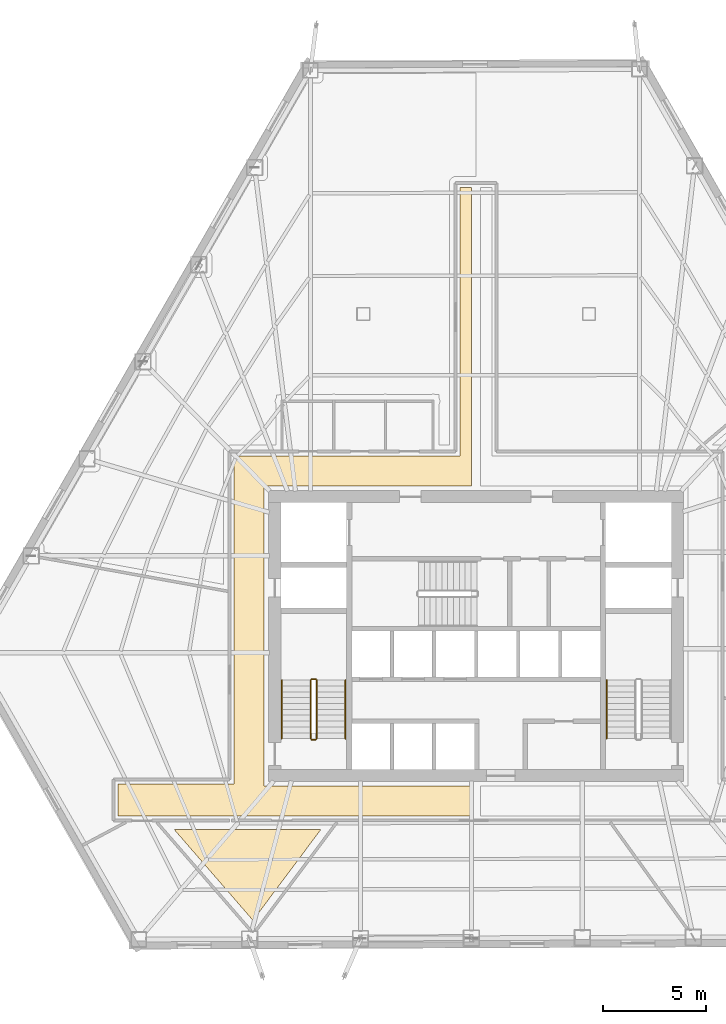
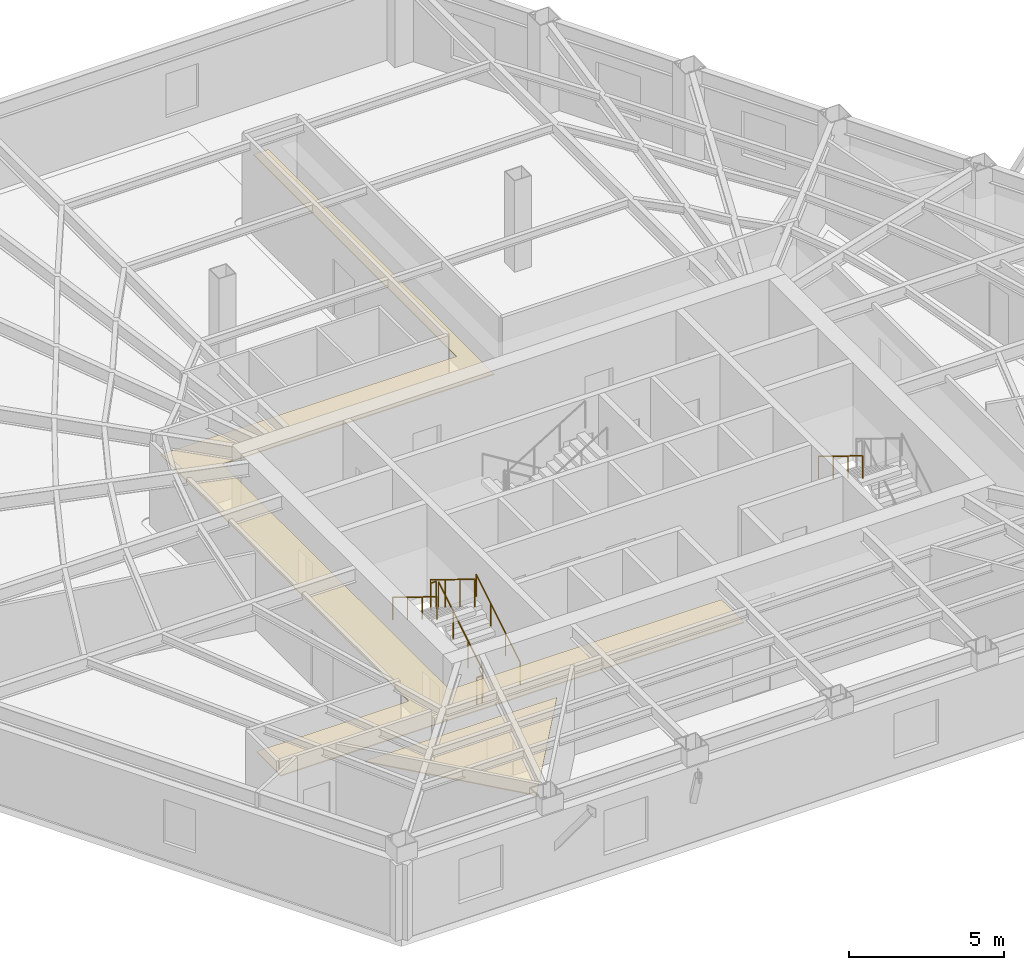
# One storey, part 10 of 12: 7 railings, 2 coverings.
"""IFC4 building model written with IfcOpenShell, lengths in metres."""

from ifc_helpers import new_model, si_unit, direction, frame, origin, origin_2d, place, context, subcontext, project, spatial, polyline, circle, outline, extrude, material, layer, layer_set, type_object, element, save


model = new_model("IFC4")

# Units and contexts
model_context = context("Model", 3, precision=1e-05, world=origin(), true_north=direction((0.0, 1.0)))
body_context = subcontext(model_context, "Body", "Model", "MODEL_VIEW")
ifc_project = project(units=[si_unit("LENGTHUNIT", "METRE"), si_unit("AREAUNIT", "SQUARE_METRE"), si_unit("VOLUMEUNIT", "CUBIC_METRE"), si_unit("PLANEANGLEUNIT", "RADIAN"), si_unit("MASSUNIT", "GRAM", prefix="KILO")], contexts=[model_context])

# Site, building, storey
site_placement = place(None, origin())
site = spatial("IfcSite", under=ifc_project, at=site_placement, CompositionType="ELEMENT")
building_placement = place(site_placement, origin())
building = spatial("IfcBuilding", under=site, at=building_placement, Name="Kavelnor Concourse Tower", CompositionType="ELEMENT")
storey_placement = place(building_placement, frame((0.0, 0.0, 13.699951171875)))
storey = spatial("IfcBuildingStorey", under=building, at=storey_placement, Name="L03", CompositionType="ELEMENT", Elevation=13.699951171875)

# Coverings
ifc_material_1 = material(Name="Mineral fibre acoustic ceiling tile")
ifc_layer = layer(ifc_material_1, 0.0400390625, Name="Mineral fibre acoustic ceiling tile")
ifc_layer_set = layer_set([ifc_layer], Name="Mineral fibre acoustic ceiling tile")
covering_type = type_object("IfcCoveringType", Name="COV-CEILING-ACOUSTIC", PredefinedType="CEILING", material=ifc_layer_set)
covering_1_placement = place(storey_placement, frame((0.0, 0.0, 2.75)))
element("IfcCovering", 1, at=covering_1_placement, inside=storey, type_object=covering_type, Name="L03 Suspended Acoustic Ceiling", PredefinedType="CEILING", context=body_context, shape_type="SweptSolid", body=[
    extrude(outline(polyline([(37.219970703125, 37.97998046875), (37.77490234375, 37.97998046875), (37.77490234375, 23.419921875), (27.659912109375, 23.419921875), (27.659912109375, 8.780029296875), (37.77490234375, 8.780029296875), (37.77490234375, 7.320068359375), (20.53369140625, 7.320068359375), (20.53369140625, 8.8798828125), (26.199951171875, 8.8798828125), (26.199951171875, 24.8798828125), (37.219970703125, 24.8798828125), (37.219970703125, 37.97998046875)])), origin(), (0.0, 0.0, 1.0), 0.0400390625),
])
covering_2_placement = place(storey_placement, frame((0.0, 0.0, 2.75)))
element("IfcCovering", 2, at=covering_2_placement, inside=storey, type_object=covering_type, Name="L03 Suspended Acoustic Ceiling", PredefinedType="CEILING", context=body_context, shape_type="SweptSolid", body=[
    extrude(outline(polyline([(26.030029296875, 6.680419921875), (26.03857421875, 6.67919921875), (26.07177734375, 6.677490234375), (30.43896484375, 6.677490234375), (27.12060546875, 2.238037109375), (23.2705078125, 6.677490234375), (25.98828125, 6.677490234375), (26.021484375, 6.67919921875), (26.030029296875, 6.680419921875)])), origin(), (0.0, 0.0, 1.0), 0.0400390625),
])

# Railings
ifc_material_2 = material(Name="Steel Grade 350", Category="steel")
railing_type_1 = type_object("IfcRailingType", Name="RLG-GUARD-1100", PredefinedType="GUARDRAIL", material=ifc_material_2)
railing_1_placement = place(storey_placement, frame((30.22998046875, 11.10009765625, 0.175048828125)))
element("IfcRailing", 3, at=railing_1_placement, inside=storey, type_object=railing_type_1, Name="L03 ST1 stair guard 1", PredefinedType="GUARDRAIL", context=body_context, shape_type="SweptSolid", body=[
    extrude(circle(Radius=0.02392578125, at=origin_2d()), frame((0.0, 0.0, 1.076171875), z_axis=(0.0, 0.852159232446, 0.523282564737), x_axis=(-1.0, 0.0, 0.0)), (0.0, 0.0, 1.0), 3.34423828125),
    extrude(circle(Radius=0.02099609375, at=origin_2d()), origin(), (0.0, 0.0, 1.0), 1.052001953125),
    extrude(circle(Radius=0.02099609375, at=origin_2d()), frame((0.0, 0.949951171875, 0.583251953125)), (0.0, 0.0, 1.0), 1.052001953125),
    extrude(circle(Radius=0.02099609375, at=origin_2d()), frame((0.0, 1.89990234375, 1.166748046875)), (0.0, 0.0, 1.0), 1.052001953125),
    extrude(circle(Radius=0.02099609375, at=origin_2d()), frame((0.0, 2.849853515625, 1.75)), (0.0, 0.0, 1.0), 1.052001953125),
])
railing_2_placement = place(storey_placement, frame((30.179931640625, 14.0, 1.925048828125)))
element("IfcRailing", 4, at=railing_2_placement, inside=storey, type_object=railing_type_1, Name="L03 ST1 stair guard 2", PredefinedType="GUARDRAIL", context=body_context, shape_type="SweptSolid", body=[
    extrude(circle(Radius=0.02392578125, at=origin_2d()), frame((0.0, 0.0, 1.076171875), z_axis=(-1.0, 0.0, 0.0), x_axis=(0.0, -1.0, 0.0)), (0.0, 0.0, 1.0), 0.199951171875),
    extrude(circle(Radius=0.02099609375, at=origin_2d()), origin(), (0.0, 0.0, 1.0), 1.052001953125),
    extrude(circle(Radius=0.02099609375, at=origin_2d()), frame((-0.199951171875, 0.0, 0.0)), (0.0, 0.0, 1.0), 1.052001953125),
])
railing_3_placement = place(storey_placement, frame((29.929931640625, 13.949951171875, 2.10009765625)))
element("IfcRailing", 5, at=railing_3_placement, inside=storey, type_object=railing_type_1, Name="L03 ST1 stair guard 3", PredefinedType="GUARDRAIL", context=body_context, shape_type="SweptSolid", body=[
    extrude(circle(Radius=0.02392578125, at=origin_2d()), frame((0.0, 0.0, 1.076171875), z_axis=(0.0, -0.852159232446, 0.523282564737), x_axis=(1.0, 0.0, 0.0)), (0.0, 0.0, 1.0), 3.34423828125),
    extrude(circle(Radius=0.02099609375, at=origin_2d()), origin(), (0.0, 0.0, 1.0), 1.052001953125),
    extrude(circle(Radius=0.02099609375, at=origin_2d()), frame((0.0, -0.949951171875, 0.583251953125)), (0.0, 0.0, 1.0), 1.052001953125),
    extrude(circle(Radius=0.02099609375, at=origin_2d()), frame((0.0, -1.89990234375, 1.166748046875)), (0.0, 0.0, 1.0), 1.052001953125),
    extrude(circle(Radius=0.02099609375, at=origin_2d()), frame((0.0, -2.849853515625, 1.75)), (0.0, 0.0, 1.0), 1.052001953125),
])
railing_4_placement = place(storey_placement, frame((30.179931640625, 11.050048828125, 0.0)))
element("IfcRailing", 6, at=railing_4_placement, inside=storey, type_object=railing_type_1, Name="L03 ST1 stair guard 4", PredefinedType="GUARDRAIL", context=body_context, shape_type="SweptSolid", body=[
    extrude(circle(Radius=0.02392578125, at=origin_2d()), frame((0.0, 0.0, 1.076171875), z_axis=(-1.0, 0.0, 0.0), x_axis=(0.0, -1.0, 0.0)), (0.0, 0.0, 1.0), 0.199951171875),
    extrude(circle(Radius=0.02099609375, at=origin_2d()), origin(), (0.0, 0.0, 1.0), 1.052001953125),
    extrude(circle(Radius=0.02099609375, at=origin_2d()), frame((-0.199951171875, 0.0, 0.0)), (0.0, 0.0, 1.0), 1.052001953125),
])
railing_type_2 = type_object("IfcRailingType", Name="RLG-HANDRAIL-900", PredefinedType="HANDRAIL", material=ifc_material_2)
railing_5_placement = place(storey_placement, frame((31.6298828125, 11.10009765625, 0.175048828125)))
element("IfcRailing", 7, at=railing_5_placement, inside=storey, type_object=railing_type_2, Name="L03 ST1 stair handrail 1", PredefinedType="HANDRAIL", context=body_context, shape_type="SweptSolid", body=[
    extrude(circle(Radius=0.02392578125, at=origin_2d()), frame((0.0, 0.0, 0.8759765625), z_axis=(0.0, 0.852159232446, 0.523282564737), x_axis=(-1.0, 0.0, 0.0)), (0.0, 0.0, 1.0), 3.34423828125),
    extrude(circle(Radius=0.02099609375, at=origin_2d()), origin(), (0.0, 0.0, 1.0), 0.851806640625),
    extrude(circle(Radius=0.02099609375, at=origin_2d()), frame((0.0, 0.949951171875, 0.583251953125)), (0.0, 0.0, 1.0), 0.851806640625),
    extrude(circle(Radius=0.02099609375, at=origin_2d()), frame((0.0, 1.89990234375, 1.166748046875)), (0.0, 0.0, 1.0), 0.851806640625),
    extrude(circle(Radius=0.02099609375, at=origin_2d()), frame((0.0, 2.849853515625, 1.75)), (0.0, 0.0, 1.0), 0.851806640625),
])
for number, where, name in (
    (8, (28.530029296875, 13.949951171875, 2.10009765625), "L03 ST1 stair handrail 2"),
    (9, (44.3701171875, 13.949951171875, 2.10009765625), "L03 ST2 stair handrail 2"),
):
    element("IfcRailing", number, at=place(storey_placement, frame(where)), inside=storey, type_object=railing_type_2, Name=name, PredefinedType="HANDRAIL", context=body_context, shape_type="SweptSolid", body=[
        extrude(circle(Radius=0.02392578125, at=origin_2d()), frame((0.0, 0.0, 0.8759765625), z_axis=(0.0, -0.852159232446, 0.523282564737), x_axis=(1.0, 0.0, 0.0)), (0.0, 0.0, 1.0), 3.34423828125),
        extrude(circle(Radius=0.02099609375, at=origin_2d()), origin(), (0.0, 0.0, 1.0), 0.851806640625),
        extrude(circle(Radius=0.02099609375, at=origin_2d()), frame((0.0, -0.949951171875, 0.583251953125)), (0.0, 0.0, 1.0), 0.851806640625),
        extrude(circle(Radius=0.02099609375, at=origin_2d()), frame((0.0, -1.89990234375, 1.166748046875)), (0.0, 0.0, 1.0), 0.851806640625),
        extrude(circle(Radius=0.02099609375, at=origin_2d()), frame((0.0, -2.849853515625, 1.75)), (0.0, 0.0, 1.0), 0.851806640625),
    ])

save(model, "model.ifc")
